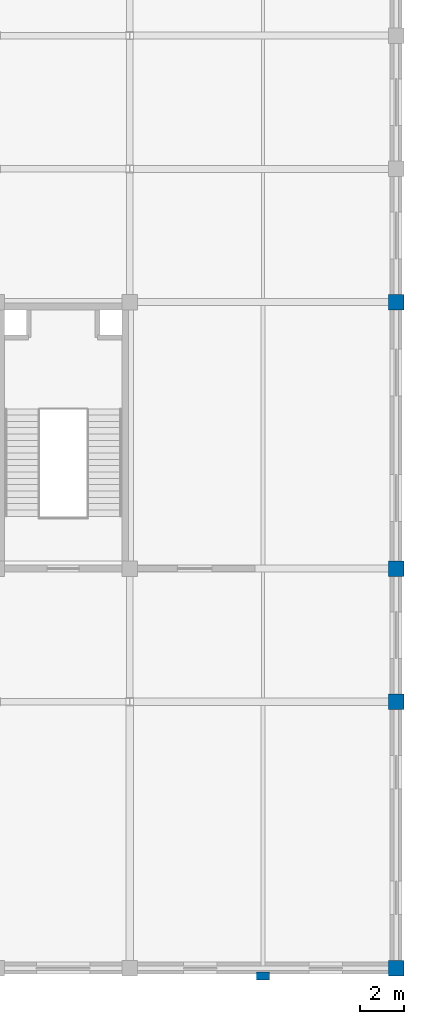
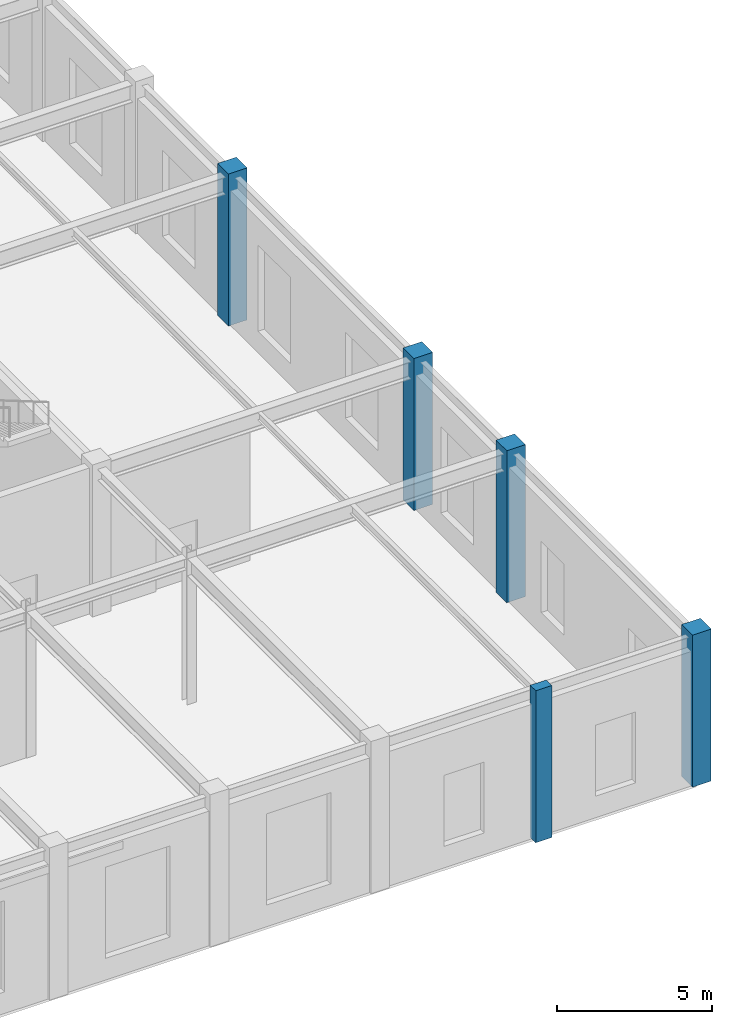
# One storey, part 22 of 51: 5 columns.
"""IFC4 building model written with IfcOpenShell, lengths in metres."""

from ifc_helpers import new_model, si_unit, direction, frame, origin, origin_2d, place, context, subcontext, project, spatial, rectangle, extrude, material, material_profile, profile_set, type_object, element, save


model = new_model("IFC4")

# Units and contexts
model_context = context("Model", 3, precision=1e-05, world=origin(), true_north=direction((0.0, 1.0)))
body_context = subcontext(model_context, "Body", "Model", "MODEL_VIEW")
ifc_project = project(units=[si_unit("LENGTHUNIT", "METRE"), si_unit("AREAUNIT", "SQUARE_METRE"), si_unit("VOLUMEUNIT", "CUBIC_METRE"), si_unit("PLANEANGLEUNIT", "RADIAN"), si_unit("MASSUNIT", "GRAM", prefix="KILO")], contexts=[model_context])

# Site, building, storey
site_placement = place(None, origin())
site = spatial("IfcSite", under=ifc_project, at=site_placement, CompositionType="ELEMENT")
building_placement = place(site_placement, origin())
building = spatial("IfcBuilding", under=site, at=building_placement, Name="Zlatovratsky Civic Hall", CompositionType="ELEMENT")
storey_placement = place(building_placement, origin())
storey = spatial("IfcBuildingStorey", under=building, at=storey_placement, Name="L01", CompositionType="ELEMENT", Elevation=0.0)

# Columns
ifc_material = material(Name="Concrete C35/45 (B40)", Category="concrete")
ifc_material_profile_1 = material_profile(ifc_material, rectangle(XDim=0.699951171875, YDim=0.699951171875, at=origin_2d()), Name="RC 700x700")
ifc_profile_set_1 = profile_set([ifc_material_profile_1], Name="Concrete C35/45 (B40)")
column_type_1 = type_object("IfcColumnType", Name="Col_CorePier_RC700", PredefinedType="COLUMN", material=ifc_profile_set_1)
for number, where, z_axis, x_axis, name in (
    (1, (168.0, 0.0, 0.0), (0.0, 0.0, 1.0), (1.0, 0.0, 0.0), "CL-0430"),
    (2, (168.0, 12.0, 0.0), (0.0, 0.0, 1.0), (1.0, 0.0, 0.0), "CL-0453"),
    (3, (168.0, 18.0, 0.0), (0.0, 0.0, 1.0), (1.0, 0.0, 0.0), "CL-0476"),
    (4, (168.0, 30.0, 0.0), (0.0, 0.0, 1.0), (1.0, 0.0, 0.0), "CL-0499"),
):
    element("IfcColumn", number, at=place(storey_placement, frame(where, z_axis=z_axis, x_axis=x_axis)), inside=storey, type_object=column_type_1, Name=name, PredefinedType="COLUMN", context=body_context, shape_type="SweptSolid", body=[
        extrude(rectangle(XDim=0.699951171875, YDim=0.699951171875, at=origin_2d()), origin(), (0.0, 0.0, 1.0), 6.0),
    ])
ifc_material_profile_2 = material_profile(ifc_material, rectangle(XDim=0.60009765625, YDim=0.360107421875, at=origin_2d()), Name="RC 600x360")
ifc_profile_set_2 = profile_set([ifc_material_profile_2], Name="Concrete C35/45 (B40)")
column_type_2 = type_object("IfcColumnType", Name="Pilaster_Classical_RC600x360", PredefinedType="PILASTER", material=ifc_profile_set_2)
column_placement = place(storey_placement, frame((162.0, -0.35009765625, 0.0), z_axis=(0.0, 0.0, 1.0), x_axis=(1.0, 0.0, 0.0)))
element("IfcColumn", 5, at=column_placement, inside=storey, type_object=column_type_2, Name="CL-2726", PredefinedType="PILASTER", context=body_context, shape_type="SweptSolid", body=[
    extrude(rectangle(XDim=0.60009765625, YDim=0.360107421875, at=origin_2d()), origin(), (0.0, 0.0, 1.0), 6.0),
])

save(model, "model.ifc")
